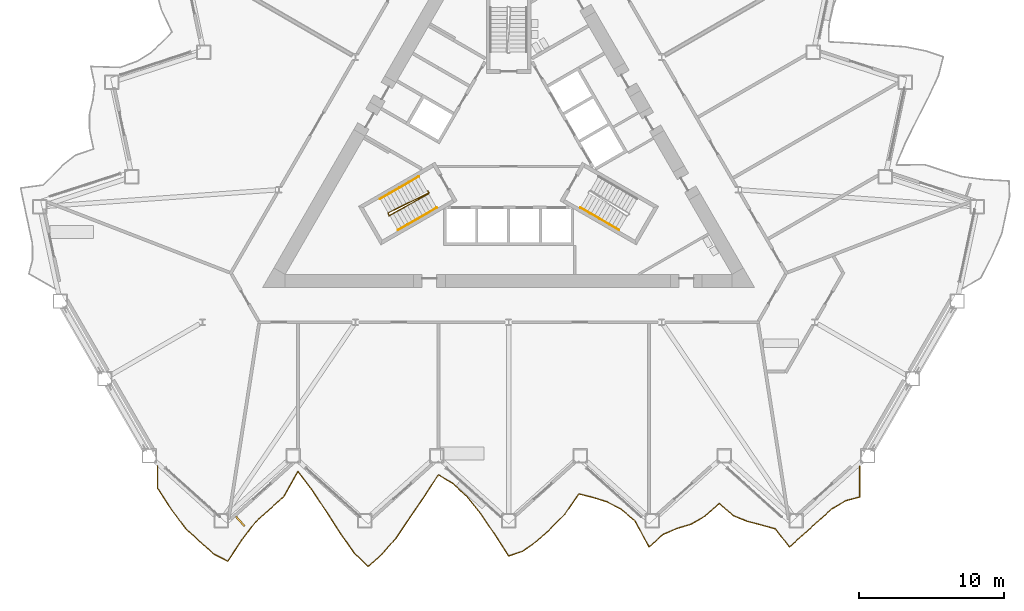
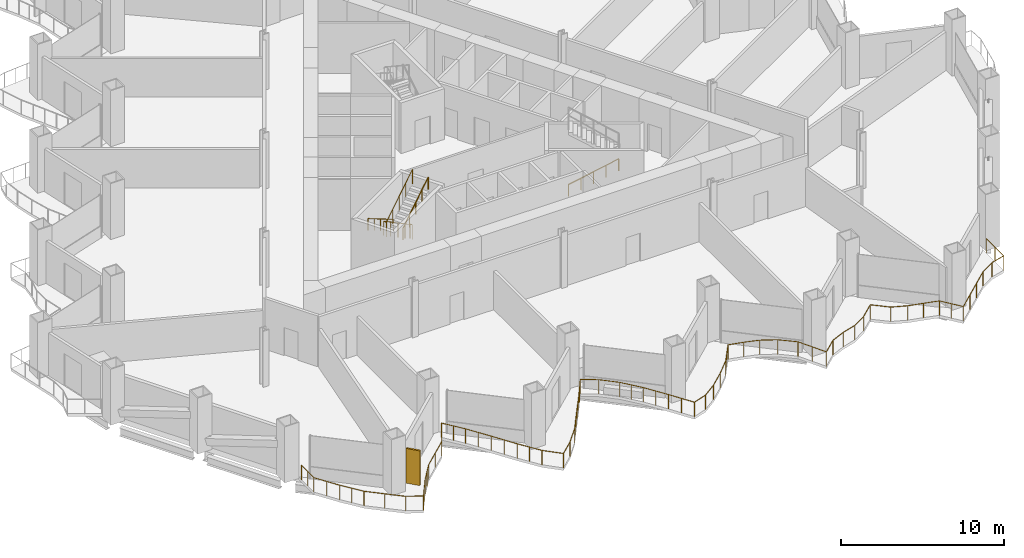
# One storey, part 17 of 21: 5 railings, 1 shading device.
"""IFC4 building model written with IfcOpenShell, lengths in metres."""

from ifc_helpers import new_model, si_unit, direction, frame, origin, origin_2d, place, context, subcontext, project, spatial, rectangle, circle, extrude, material, layer, layer_set, type_object, element, save


model = new_model("IFC4")

# Units and contexts
model_context = context("Model", 3, precision=1e-05, world=origin(), true_north=direction((0.0, 1.0)))
body_context = subcontext(model_context, "Body", "Model", "MODEL_VIEW")
ifc_project = project(units=[si_unit("LENGTHUNIT", "METRE"), si_unit("AREAUNIT", "SQUARE_METRE"), si_unit("VOLUMEUNIT", "CUBIC_METRE"), si_unit("PLANEANGLEUNIT", "RADIAN"), si_unit("MASSUNIT", "GRAM", prefix="KILO")], contexts=[model_context])

# Site, building, storey
site_placement = place(None, origin())
site = spatial("IfcSite", under=ifc_project, at=site_placement, CompositionType="ELEMENT")
building_placement = place(site_placement, origin())
building = spatial("IfcBuilding", under=site, at=building_placement, Name="Cormorant Prow Tower", CompositionType="ELEMENT")
storey_placement = place(building_placement, frame((0.0, 0.0, 42.60009765625)))
storey = spatial("IfcBuildingStorey", under=building, at=storey_placement, Name="L08", CompositionType="ELEMENT", Elevation=42.60009765625)

# Railings
ifc_material_1 = material(Name="Aluminium 6063-T6", Category="aluminium")
railing_type_1 = type_object("IfcRailingType", Name="Balcony guard 1100", PredefinedType="GUARDRAIL", material=ifc_material_1)
railing_1_placement = place(storey_placement, frame((-24.26318359375, -22.167236328125, 0.0)))
element("IfcRailing", 1, at=railing_1_placement, inside=storey, type_object=railing_type_1, Name="Balcony guard S", PredefinedType="GUARDRAIL", context=body_context, shape_type="SweptSolid", body=[
    extrude(circle(Radius=0.02392578125, at=origin_2d()), frame((0.0, 0.0, 1.076171875), z_axis=(0.0, -1.0, 0.0), x_axis=(1.0, 0.0, 0.0)), (0.0, 0.0, 1.0), 1.52001953125),
    extrude(circle(Radius=0.02392578125, at=origin_2d()), frame((0.0, -1.52001953125, 1.076171875), z_axis=(0.546456473438, -0.837487505959, 0.0), x_axis=(0.837487505959, 0.546456473438, 0.0)), (0.0, 0.0, 1.0), 1.77587890625),
    extrude(circle(Radius=0.02392578125, at=origin_2d()), frame((0.970458984375, -3.00732421875, 1.076171875), z_axis=(0.595102231489, -0.803650007203, 0.0), x_axis=(0.803650007203, 0.595102231489, 0.0)), (0.0, 0.0, 1.0), 1.630859375),
    extrude(circle(Radius=0.02392578125, at=origin_2d()), frame((1.94091796875, -4.31787109375, 1.076171875), z_axis=(0.743154686918, -0.669119653957, 0.0), x_axis=(0.669119653957, 0.743154686918, 0.0)), (0.0, 0.0, 1.0), 1.305908203125),
    extrude(circle(Radius=0.02392578125, at=origin_2d()), frame((2.911376953125, -5.191650390625, 1.076171875), z_axis=(0.743145427753, -0.669129937464, 0.0), x_axis=(0.669129937464, 0.743145427753, 0.0)), (0.0, 0.0, 1.0), 1.30615234375),
    extrude(circle(Radius=0.02392578125, at=origin_2d()), frame((3.882080078125, -6.065673828125, 1.076171875), z_axis=(0.886668355379, -0.462405912126, 0.0), x_axis=(0.462405912126, 0.886668355379, 0.0)), (0.0, 0.0, 1.0), 1.094482421875),
    extrude(circle(Radius=0.02392578125, at=origin_2d()), frame((4.8525390625, -6.57177734375, 1.076171875), z_axis=(0.549426091774, 0.835542320698, 0.0), x_axis=(-0.835542320698, 0.549426091774, 0.0)), (0.0, 0.0, 1.0), 1.766357421875),
    extrude(circle(Radius=0.02392578125, at=origin_2d()), frame((5.822998046875, -5.095947265625, 1.076171875), z_axis=(0.611999325903, 0.790858283825, 0.0), x_axis=(-0.790858283825, 0.611999325903, 0.0)), (0.0, 0.0, 1.0), 1.586181640625),
    extrude(circle(Radius=0.02392578125, at=origin_2d()), frame((6.793701171875, -3.841552734375, 1.076171875), z_axis=(0.743154686918, 0.669119653957, 0.0), x_axis=(-0.669119653957, 0.743154686918, 0.0)), (0.0, 0.0, 1.0), 1.305908203125),
    extrude(circle(Radius=0.02392578125, at=origin_2d()), frame((7.76416015625, -2.9677734375, 1.076171875), z_axis=(0.743154686918, 0.669119653957, 0.0), x_axis=(-0.669119653957, 0.743154686918, 0.0)), (0.0, 0.0, 1.0), 1.305908203125),
    extrude(circle(Radius=0.02392578125, at=origin_2d()), frame((8.734619140625, -2.093994140625, 1.076171875), z_axis=(0.491987922323, 0.870602024055, 0.0), x_axis=(-0.870602024055, 0.491987922323, 0.0)), (0.0, 0.0, 1.0), 1.972412109375),
    extrude(circle(Radius=0.02392578125, at=origin_2d()), frame((9.705078125, -0.376708984375, 1.076171875), z_axis=(0.607552194896, -0.794279755802, 0.0), x_axis=(0.794279755802, 0.607552194896, 0.0)), (0.0, 0.0, 1.0), 1.59765625),
    extrude(circle(Radius=0.02392578125, at=origin_2d()), frame((10.67578125, -1.645751953125, 1.076171875), z_axis=(0.553189853968, -0.833055211536, 0.0), x_axis=(0.833055211536, 0.553189853968, 0.0)), (0.0, 0.0, 1.0), 1.75439453125),
    extrude(circle(Radius=0.02392578125, at=origin_2d()), frame((11.646240234375, -3.107177734375, 1.076171875), z_axis=(0.54251539908, -0.84004585694, 0.0), x_axis=(0.84004585694, 0.54251539908, 0.0)), (0.0, 0.0, 1.0), 1.788818359375),
    extrude(circle(Radius=0.02392578125, at=origin_2d()), frame((12.61669921875, -4.60986328125, 1.076171875), z_axis=(0.574683975646, -0.818375420046, 0.0), x_axis=(0.818375420046, 0.574683975646, 0.0)), (0.0, 0.0, 1.0), 1.689208984375),
    extrude(circle(Radius=0.02392578125, at=origin_2d()), frame((13.58740234375, -5.9921875, 1.076171875), z_axis=(0.715606343426, -0.698503801885, 0.0), x_axis=(0.698503801885, 0.715606343426, 0.0)), (0.0, 0.0, 1.0), 1.356201171875),
    extrude(circle(Radius=0.02392578125, at=origin_2d()), frame((14.557861328125, -6.939453125, 1.076171875), z_axis=(0.743154686918, 0.669119653957, 0.0), x_axis=(-0.669119653957, 0.743154686918, 0.0)), (0.0, 0.0, 1.0), 1.305908203125),
    extrude(circle(Radius=0.02392578125, at=origin_2d()), frame((15.5283203125, -6.065673828125, 1.076171875), z_axis=(0.657262862537, 0.753661415709, 0.0), x_axis=(-0.753661415709, 0.657262862537, 0.0)), (0.0, 0.0, 1.0), 1.4765625),
    extrude(circle(Radius=0.02392578125, at=origin_2d()), frame((16.498779296875, -4.952880859375, 1.076171875), z_axis=(0.557674475264, 0.83005974462, 0.0), x_axis=(-0.83005974462, 0.557674475264, 0.0)), (0.0, 0.0, 1.0), 1.74072265625),
    extrude(circle(Radius=0.02392578125, at=origin_2d()), frame((17.469482421875, -3.508056640625, 1.076171875), z_axis=(0.565851984575, 0.824506841423, 0.0), x_axis=(-0.824506841423, 0.565851984575, 0.0)), (0.0, 0.0, 1.0), 1.715087890625),
    extrude(circle(Radius=0.02392578125, at=origin_2d()), frame((18.43994140625, -2.093994140625, 1.076171875), z_axis=(0.543636828573, 0.839320557724, 0.0), x_axis=(-0.839320557724, 0.543636828573, 0.0)), (0.0, 0.0, 1.0), 1.78515625),
    extrude(circle(Radius=0.02392578125, at=origin_2d()), frame((19.410400390625, -0.595703125, 1.076171875), z_axis=(0.85850102145, -0.512811852602, 0.0), x_axis=(0.512811852602, 0.85850102145, 0.0)), (0.0, 0.0, 1.0), 1.130615234375),
    extrude(circle(Radius=0.02392578125, at=origin_2d()), frame((20.381103515625, -1.175537109375, 1.076171875), z_axis=(0.735654307168, -0.677357173392, 0.0), x_axis=(0.677357173392, 0.735654307168, 0.0)), (0.0, 0.0, 1.0), 1.319091796875),
    extrude(circle(Radius=0.02392578125, at=origin_2d()), frame((21.3515625, -2.069091796875, 1.076171875), z_axis=(0.628292956506, -0.777976838219, 0.0), x_axis=(0.777976838219, 0.628292956506, 0.0)), (0.0, 0.0, 1.0), 1.544677734375),
    extrude(circle(Radius=0.02392578125, at=origin_2d()), frame((22.322021484375, -3.270751953125, 1.076171875), z_axis=(0.562708676274, -0.826655276186, 0.0), x_axis=(0.826655276186, 0.562708676274, 0.0)), (0.0, 0.0, 1.0), 1.72509765625),
    extrude(circle(Radius=0.02392578125, at=origin_2d()), frame((23.292724609375, -4.69677734375, 1.076171875), z_axis=(0.541149728785, -0.840926257787, 0.0), x_axis=(0.840926257787, 0.541149728785, 0.0)), (0.0, 0.0, 1.0), 1.793212890625),
    extrude(circle(Radius=0.02392578125, at=origin_2d()), frame((24.26318359375, -6.204833984375, 1.076171875), z_axis=(0.949397389061, 0.314077375249, 0.0), x_axis=(-0.314077375249, 0.949397389061, 0.0)), (0.0, 0.0, 1.0), 1.022216796875),
    extrude(circle(Radius=0.02392578125, at=origin_2d()), frame((25.233642578125, -5.8837890625, 1.076171875), z_axis=(0.814217473034, 0.580559993977, 0.0), x_axis=(-0.580559993977, 0.814217473034, 0.0)), (0.0, 0.0, 1.0), 1.192138671875),
    extrude(circle(Radius=0.02392578125, at=origin_2d()), frame((26.204345703125, -5.191650390625, 1.076171875), z_axis=(0.743154686918, 0.669119653957, 0.0), x_axis=(-0.669119653957, 0.743154686918, 0.0)), (0.0, 0.0, 1.0), 1.305908203125),
    extrude(circle(Radius=0.02392578125, at=origin_2d()), frame((27.1748046875, -4.31787109375, 1.076171875), z_axis=(0.697391496099, 0.716690380268, 0.0), x_axis=(-0.716690380268, 0.697391496099, 0.0)), (0.0, 0.0, 1.0), 1.3916015625),
    extrude(circle(Radius=0.02392578125, at=origin_2d()), frame((28.145263671875, -3.320556640625, 1.076171875), z_axis=(0.56854801371, 0.822650081205, 0.0), x_axis=(-0.822650081205, 0.56854801371, 0.0)), (0.0, 0.0, 1.0), 1.707275390625),
    extrude(circle(Radius=0.02392578125, at=origin_2d()), frame((29.115966796875, -1.916015625, 1.076171875), z_axis=(0.970529040878, -0.240984192037, 0.0), x_axis=(0.240984192037, 0.970529040878, 0.0)), (0.0, 0.0, 1.0), 1.0),
    extrude(circle(Radius=0.02392578125, at=origin_2d()), frame((30.08642578125, -2.156982421875, 1.076171875), z_axis=(0.95476588889, -0.297358533445, 0.0), x_axis=(0.297358533445, 0.95476588889, 0.0)), (0.0, 0.0, 1.0), 1.016357421875),
    extrude(circle(Radius=0.02392578125, at=origin_2d()), frame((31.056884765625, -2.459228515625, 1.076171875), z_axis=(0.885159562944, -0.465287597222, 0.0), x_axis=(0.465287597222, 0.885159562944, 0.0)), (0.0, 0.0, 1.0), 1.0966796875),
    extrude(circle(Radius=0.02392578125, at=origin_2d()), frame((32.027587890625, -2.969482421875, 1.076171875), z_axis=(0.767033703833, -0.641606808867, 0.0), x_axis=(0.641606808867, 0.767033703833, 0.0)), (0.0, 0.0, 1.0), 1.26513671875),
    extrude(circle(Radius=0.02392578125, at=origin_2d()), frame((32.998046875, -3.78125, 1.076171875), z_axis=(0.472914583263, -0.881108277647, 0.0), x_axis=(0.881108277647, 0.472914583263, 0.0)), (0.0, 0.0, 1.0), 2.052001953125),
    extrude(circle(Radius=0.02392578125, at=origin_2d()), frame((33.968505859375, -5.58935546875, 1.076171875), z_axis=(0.743154686918, 0.669119653957, 0.0), x_axis=(-0.669119653957, 0.743154686918, 0.0)), (0.0, 0.0, 1.0), 1.305908203125),
    extrude(circle(Radius=0.02392578125, at=origin_2d()), frame((34.93896484375, -4.715576171875, 1.076171875), z_axis=(0.918977576197, 0.394309795018, 0.0), x_axis=(-0.394309795018, 0.918977576197, 0.0)), (0.0, 0.0, 1.0), 1.056396484375),
    extrude(circle(Radius=0.02392578125, at=origin_2d()), frame((35.90966796875, -4.299072265625, 1.076171875), z_axis=(0.959242445452, 0.28258437827, 0.0), x_axis=(-0.28258437827, 0.959242445452, 0.0)), (0.0, 0.0, 1.0), 1.01171875),
    extrude(circle(Radius=0.02392578125, at=origin_2d()), frame((36.880126953125, -4.01318359375, 1.076171875), z_axis=(0.862524905766, 0.506014611383, 0.0), x_axis=(-0.506014611383, 0.862524905766, 0.0)), (0.0, 0.0, 1.0), 1.125244140625),
    extrude(circle(Radius=0.02392578125, at=origin_2d()), frame((37.8505859375, -3.44384765625, 1.076171875), z_axis=(0.743238374141, 0.669026695435, 0.0), x_axis=(-0.669026695435, 0.743238374141, 0.0)), (0.0, 0.0, 1.0), 1.30615234375),
    extrude(circle(Radius=0.02392578125, at=origin_2d()), frame((38.8212890625, -2.570068359375, 1.076171875), z_axis=(0.752025607299, -0.659133890774, 0.0), x_axis=(0.659133890774, 0.752025607299, 0.0)), (0.0, 0.0, 1.0), 1.29052734375),
    extrude(circle(Radius=0.02392578125, at=origin_2d()), frame((39.791748046875, -3.420654296875, 1.076171875), z_axis=(0.927184198697, -0.374605741662, 0.0), x_axis=(0.374605741662, 0.927184198697, 0.0)), (0.0, 0.0, 1.0), 1.046630859375),
    extrude(circle(Radius=0.02392578125, at=origin_2d()), frame((40.76220703125, -3.812744140625, 1.076171875), z_axis=(0.967970600787, -0.251063569663, 0.0), x_axis=(0.251063569663, 0.967970600787, 0.0)), (0.0, 0.0, 1.0), 1.002685546875),
    extrude(circle(Radius=0.02392578125, at=origin_2d()), frame((41.732666015625, -4.064453125, 1.076171875), z_axis=(0.962981625571, -0.269567039552, 0.0), x_axis=(0.269567039552, 0.962981625571, 0.0)), (0.0, 0.0, 1.0), 1.008056640625),
    extrude(circle(Radius=0.02392578125, at=origin_2d()), frame((42.703369140625, -4.336181640625, 1.076171875), z_axis=(0.61227570857, -0.790644330085, 0.0), x_axis=(0.790644330085, 0.61227570857, 0.0)), (0.0, 0.0, 1.0), 1.5849609375),
    extrude(circle(Radius=0.02392578125, at=origin_2d()), frame((43.673828125, -5.58935546875, 1.076171875), z_axis=(0.743154686918, 0.669119653957, 0.0), x_axis=(-0.669119653957, 0.743154686918, 0.0)), (0.0, 0.0, 1.0), 1.305908203125),
    extrude(circle(Radius=0.02392578125, at=origin_2d()), frame((44.644287109375, -4.715576171875, 1.076171875), z_axis=(0.743145427753, 0.669129937464, 0.0), x_axis=(-0.669129937464, 0.743145427753, 0.0)), (0.0, 0.0, 1.0), 1.30615234375),
    extrude(circle(Radius=0.02392578125, at=origin_2d()), frame((45.614990234375, -3.841552734375, 1.076171875), z_axis=(0.743154686918, 0.669119653957, 0.0), x_axis=(-0.669119653957, 0.743154686918, 0.0)), (0.0, 0.0, 1.0), 1.305908203125),
    extrude(circle(Radius=0.02392578125, at=origin_2d()), frame((46.58544921875, -2.9677734375, 1.076171875), z_axis=(0.85939467773, 0.511312808259, 0.0), x_axis=(-0.511312808259, 0.85939467773, 0.0)), (0.0, 0.0, 1.0), 1.129150390625),
    extrude(circle(Radius=0.02392578125, at=origin_2d()), frame((47.555908203125, -2.390380859375, 1.076171875), z_axis=(0.965931782, 0.258796817064, 0.0), x_axis=(-0.258796817064, 0.965931782, 0.0)), (0.0, 0.0, 1.0), 1.004638671875),
    extrude(circle(Radius=0.02392578125, at=origin_2d()), frame((48.5263671875, -2.13037109375, 1.076171875), z_axis=(0.0, 1.0, 0.0), x_axis=(-1.0, 0.0, 0.0)), (0.0, 0.0, 1.0), 2.13037109375),
    extrude(circle(Radius=0.02099609375, at=origin_2d()), origin(), (0.0, 0.0, 1.0), 1.052001953125),
    extrude(circle(Radius=0.02099609375, at=origin_2d()), frame((0.0, -0.760009765625, 0.0)), (0.0, 0.0, 1.0), 1.052001953125),
    extrude(circle(Radius=0.02099609375, at=origin_2d()), frame((0.0, -1.52001953125, 0.0)), (0.0, 0.0, 1.0), 1.052001953125),
    extrude(circle(Radius=0.02099609375, at=origin_2d()), frame((0.4853515625, -2.263671875, 0.0)), (0.0, 0.0, 1.0), 1.052001953125),
    extrude(circle(Radius=0.02099609375, at=origin_2d()), frame((0.970458984375, -3.00732421875, 0.0)), (0.0, 0.0, 1.0), 1.052001953125),
    extrude(circle(Radius=0.02099609375, at=origin_2d()), frame((1.45556640625, -3.66259765625, 0.0)), (0.0, 0.0, 1.0), 1.052001953125),
    extrude(circle(Radius=0.02099609375, at=origin_2d()), frame((1.94091796875, -4.31787109375, 0.0)), (0.0, 0.0, 1.0), 1.052001953125),
    extrude(circle(Radius=0.02099609375, at=origin_2d()), frame((2.911376953125, -5.191650390625, 0.0)), (0.0, 0.0, 1.0), 1.052001953125),
    extrude(circle(Radius=0.02099609375, at=origin_2d()), frame((3.882080078125, -6.065673828125, 0.0)), (0.0, 0.0, 1.0), 1.052001953125),
    extrude(circle(Radius=0.02099609375, at=origin_2d()), frame((4.8525390625, -6.57177734375, 0.0)), (0.0, 0.0, 1.0), 1.052001953125),
    extrude(circle(Radius=0.02099609375, at=origin_2d()), frame((5.337890625, -5.833984375, 0.0)), (0.0, 0.0, 1.0), 1.052001953125),
    extrude(circle(Radius=0.02099609375, at=origin_2d()), frame((5.822998046875, -5.095947265625, 0.0)), (0.0, 0.0, 1.0), 1.052001953125),
    extrude(circle(Radius=0.02099609375, at=origin_2d()), frame((6.308349609375, -4.46875, 0.0)), (0.0, 0.0, 1.0), 1.052001953125),
    extrude(circle(Radius=0.02099609375, at=origin_2d()), frame((6.793701171875, -3.841552734375, 0.0)), (0.0, 0.0, 1.0), 1.052001953125),
    extrude(circle(Radius=0.02099609375, at=origin_2d()), frame((7.76416015625, -2.9677734375, 0.0)), (0.0, 0.0, 1.0), 1.052001953125),
    extrude(circle(Radius=0.02099609375, at=origin_2d()), frame((8.734619140625, -2.093994140625, 0.0)), (0.0, 0.0, 1.0), 1.052001953125),
    extrude(circle(Radius=0.02099609375, at=origin_2d()), frame((9.2197265625, -1.2353515625, 0.0)), (0.0, 0.0, 1.0), 1.052001953125),
    extrude(circle(Radius=0.02099609375, at=origin_2d()), frame((9.705078125, -0.376708984375, 0.0)), (0.0, 0.0, 1.0), 1.052001953125),
    extrude(circle(Radius=0.02099609375, at=origin_2d()), frame((10.1904296875, -1.01123046875, 0.0)), (0.0, 0.0, 1.0), 1.052001953125),
    extrude(circle(Radius=0.02099609375, at=origin_2d()), frame((10.67578125, -1.645751953125, 0.0)), (0.0, 0.0, 1.0), 1.052001953125),
    extrude(circle(Radius=0.02099609375, at=origin_2d()), frame((11.1611328125, -2.37646484375, 0.0)), (0.0, 0.0, 1.0), 1.052001953125),
    extrude(circle(Radius=0.02099609375, at=origin_2d()), frame((11.646240234375, -3.107177734375, 0.0)), (0.0, 0.0, 1.0), 1.052001953125),
    extrude(circle(Radius=0.02099609375, at=origin_2d()), frame((12.13134765625, -3.8583984375, 0.0)), (0.0, 0.0, 1.0), 1.052001953125),
    extrude(circle(Radius=0.02099609375, at=origin_2d()), frame((12.61669921875, -4.60986328125, 0.0)), (0.0, 0.0, 1.0), 1.052001953125),
    extrude(circle(Radius=0.02099609375, at=origin_2d()), frame((13.10205078125, -5.301025390625, 0.0)), (0.0, 0.0, 1.0), 1.052001953125),
    extrude(circle(Radius=0.02099609375, at=origin_2d()), frame((13.58740234375, -5.9921875, 0.0)), (0.0, 0.0, 1.0), 1.052001953125),
    extrude(circle(Radius=0.02099609375, at=origin_2d()), frame((14.557861328125, -6.939453125, 0.0)), (0.0, 0.0, 1.0), 1.052001953125),
    extrude(circle(Radius=0.02099609375, at=origin_2d()), frame((15.5283203125, -6.065673828125, 0.0)), (0.0, 0.0, 1.0), 1.052001953125),
    extrude(circle(Radius=0.02099609375, at=origin_2d()), frame((16.498779296875, -4.952880859375, 0.0)), (0.0, 0.0, 1.0), 1.052001953125),
    extrude(circle(Radius=0.02099609375, at=origin_2d()), frame((16.984130859375, -4.23046875, 0.0)), (0.0, 0.0, 1.0), 1.052001953125),
    extrude(circle(Radius=0.02099609375, at=origin_2d()), frame((17.469482421875, -3.508056640625, 0.0)), (0.0, 0.0, 1.0), 1.052001953125),
    extrude(circle(Radius=0.02099609375, at=origin_2d()), frame((17.95458984375, -2.801025390625, 0.0)), (0.0, 0.0, 1.0), 1.052001953125),
    extrude(circle(Radius=0.02099609375, at=origin_2d()), frame((18.43994140625, -2.093994140625, 0.0)), (0.0, 0.0, 1.0), 1.052001953125),
    extrude(circle(Radius=0.02099609375, at=origin_2d()), frame((18.92529296875, -1.3447265625, 0.0)), (0.0, 0.0, 1.0), 1.052001953125),
    extrude(circle(Radius=0.02099609375, at=origin_2d()), frame((19.410400390625, -0.595703125, 0.0)), (0.0, 0.0, 1.0), 1.052001953125),
    extrude(circle(Radius=0.02099609375, at=origin_2d()), frame((20.381103515625, -1.175537109375, 0.0)), (0.0, 0.0, 1.0), 1.052001953125),
    extrude(circle(Radius=0.02099609375, at=origin_2d()), frame((21.3515625, -2.069091796875, 0.0)), (0.0, 0.0, 1.0), 1.052001953125),
    extrude(circle(Radius=0.02099609375, at=origin_2d()), frame((21.8369140625, -2.669921875, 0.0)), (0.0, 0.0, 1.0), 1.052001953125),
    extrude(circle(Radius=0.02099609375, at=origin_2d()), frame((22.322021484375, -3.270751953125, 0.0)), (0.0, 0.0, 1.0), 1.052001953125),
    extrude(circle(Radius=0.02099609375, at=origin_2d()), frame((22.807373046875, -3.98388671875, 0.0)), (0.0, 0.0, 1.0), 1.052001953125),
    extrude(circle(Radius=0.02099609375, at=origin_2d()), frame((23.292724609375, -4.69677734375, 0.0)), (0.0, 0.0, 1.0), 1.052001953125),
    extrude(circle(Radius=0.02099609375, at=origin_2d()), frame((23.77783203125, -5.45068359375, 0.0)), (0.0, 0.0, 1.0), 1.052001953125),
    extrude(circle(Radius=0.02099609375, at=origin_2d()), frame((24.26318359375, -6.204833984375, 0.0)), (0.0, 0.0, 1.0), 1.052001953125),
    extrude(circle(Radius=0.02099609375, at=origin_2d()), frame((25.233642578125, -5.8837890625, 0.0)), (0.0, 0.0, 1.0), 1.052001953125),
    extrude(circle(Radius=0.02099609375, at=origin_2d()), frame((26.204345703125, -5.191650390625, 0.0)), (0.0, 0.0, 1.0), 1.052001953125),
    extrude(circle(Radius=0.02099609375, at=origin_2d()), frame((27.1748046875, -4.31787109375, 0.0)), (0.0, 0.0, 1.0), 1.052001953125),
    extrude(circle(Radius=0.02099609375, at=origin_2d()), frame((28.145263671875, -3.320556640625, 0.0)), (0.0, 0.0, 1.0), 1.052001953125),
    extrude(circle(Radius=0.02099609375, at=origin_2d()), frame((28.630615234375, -2.6181640625, 0.0)), (0.0, 0.0, 1.0), 1.052001953125),
    extrude(circle(Radius=0.02099609375, at=origin_2d()), frame((29.115966796875, -1.916015625, 0.0)), (0.0, 0.0, 1.0), 1.052001953125),
    extrude(circle(Radius=0.02099609375, at=origin_2d()), frame((30.08642578125, -2.156982421875, 0.0)), (0.0, 0.0, 1.0), 1.052001953125),
    extrude(circle(Radius=0.02099609375, at=origin_2d()), frame((31.056884765625, -2.459228515625, 0.0)), (0.0, 0.0, 1.0), 1.052001953125),
    extrude(circle(Radius=0.02099609375, at=origin_2d()), frame((32.027587890625, -2.969482421875, 0.0)), (0.0, 0.0, 1.0), 1.052001953125),
    extrude(circle(Radius=0.02099609375, at=origin_2d()), frame((32.998046875, -3.78125, 0.0)), (0.0, 0.0, 1.0), 1.052001953125),
    extrude(circle(Radius=0.02099609375, at=origin_2d()), frame((33.4833984375, -4.685302734375, 0.0)), (0.0, 0.0, 1.0), 1.052001953125),
    extrude(circle(Radius=0.02099609375, at=origin_2d()), frame((33.968505859375, -5.58935546875, 0.0)), (0.0, 0.0, 1.0), 1.052001953125),
    extrude(circle(Radius=0.02099609375, at=origin_2d()), frame((34.93896484375, -4.715576171875, 0.0)), (0.0, 0.0, 1.0), 1.052001953125),
    extrude(circle(Radius=0.02099609375, at=origin_2d()), frame((35.90966796875, -4.299072265625, 0.0)), (0.0, 0.0, 1.0), 1.052001953125),
    extrude(circle(Radius=0.02099609375, at=origin_2d()), frame((36.880126953125, -4.01318359375, 0.0)), (0.0, 0.0, 1.0), 1.052001953125),
    extrude(circle(Radius=0.02099609375, at=origin_2d()), frame((37.8505859375, -3.44384765625, 0.0)), (0.0, 0.0, 1.0), 1.052001953125),
    extrude(circle(Radius=0.02099609375, at=origin_2d()), frame((38.8212890625, -2.570068359375, 0.0)), (0.0, 0.0, 1.0), 1.052001953125),
    extrude(circle(Radius=0.02099609375, at=origin_2d()), frame((39.791748046875, -3.420654296875, 0.0)), (0.0, 0.0, 1.0), 1.052001953125),
    extrude(circle(Radius=0.02099609375, at=origin_2d()), frame((40.76220703125, -3.812744140625, 0.0)), (0.0, 0.0, 1.0), 1.052001953125),
    extrude(circle(Radius=0.02099609375, at=origin_2d()), frame((41.732666015625, -4.064453125, 0.0)), (0.0, 0.0, 1.0), 1.052001953125),
    extrude(circle(Radius=0.02099609375, at=origin_2d()), frame((42.703369140625, -4.336181640625, 0.0)), (0.0, 0.0, 1.0), 1.052001953125),
    extrude(circle(Radius=0.02099609375, at=origin_2d()), frame((43.1884765625, -4.962890625, 0.0)), (0.0, 0.0, 1.0), 1.052001953125),
    extrude(circle(Radius=0.02099609375, at=origin_2d()), frame((43.673828125, -5.58935546875, 0.0)), (0.0, 0.0, 1.0), 1.052001953125),
    extrude(circle(Radius=0.02099609375, at=origin_2d()), frame((44.644287109375, -4.715576171875, 0.0)), (0.0, 0.0, 1.0), 1.052001953125),
    extrude(circle(Radius=0.02099609375, at=origin_2d()), frame((45.614990234375, -3.841552734375, 0.0)), (0.0, 0.0, 1.0), 1.052001953125),
    extrude(circle(Radius=0.02099609375, at=origin_2d()), frame((46.58544921875, -2.9677734375, 0.0)), (0.0, 0.0, 1.0), 1.052001953125),
    extrude(circle(Radius=0.02099609375, at=origin_2d()), frame((47.555908203125, -2.390380859375, 0.0)), (0.0, 0.0, 1.0), 1.052001953125),
    extrude(circle(Radius=0.02099609375, at=origin_2d()), frame((48.5263671875, -2.13037109375, 0.0)), (0.0, 0.0, 1.0), 1.052001953125),
    extrude(circle(Radius=0.02099609375, at=origin_2d()), frame((48.5263671875, -1.065185546875, 0.0)), (0.0, 0.0, 1.0), 1.052001953125),
    extrude(circle(Radius=0.02099609375, at=origin_2d()), frame((48.5263671875, 0.0, 0.0)), (0.0, 0.0, 1.0), 1.052001953125),
])
ifc_material_2 = material(Name="Stainless steel", Category="steel")
railing_type_2 = type_object("IfcRailingType", Name="Stair guard 1100", PredefinedType="GUARDRAIL", material=ifc_material_2)
railing_2_placement = place(storey_placement, frame((-5.585205078125, -3.137939453125, 0.0)))
element("IfcRailing", 2, at=railing_2_placement, inside=storey, type_object=railing_type_2, Name="L08 ST1 stair guard 1", PredefinedType="GUARDRAIL", context=body_context, shape_type="SweptSolid", body=[
    extrude(circle(Radius=0.02392578125, at=origin_2d()), frame((0.0, 0.0, 1.076171875), z_axis=(0.501036270542, -0.865426285481, 0.0), x_axis=(0.865426285481, 0.501036270542, 0.0)), (0.0, 0.0, 1.0), 0.150146484375),
    extrude(circle(Radius=0.02392578125, at=origin_2d()), frame((0.0751953125, -0.1298828125, 1.076171875), z_axis=(-0.744670798681, -0.368745611333, 0.556320119817), x_axis=(0.443754251299, -0.896148516963, 0.0)), (0.0, 0.0, 1.0), 3.774658203125),
    extrude(circle(Radius=0.02392578125, at=origin_2d()), frame((-2.735595703125, -1.521728515625, 3.17578125), z_axis=(0.274721127897, -0.961523947641, 0.0), x_axis=(0.961523947641, 0.274721127897, 0.0)), (0.0, 0.0, 1.0), 0.2060546875),
    extrude(circle(Radius=0.02392578125, at=origin_2d()), frame((-2.678955078125, -1.719970703125, 3.17578125), z_axis=(0.725738344322, 0.403670096391, 0.557094524171), x_axis=(-0.486086505765, 0.873910698477, 0.0)), (0.0, 0.0, 1.0), 3.769775390625),
    extrude(circle(Radius=0.02099609375, at=origin_2d()), origin(), (0.0, 0.0, 1.0), 1.052001953125),
    extrude(circle(Radius=0.02099609375, at=origin_2d()), frame((0.0751953125, -0.1298828125, 0.0)), (0.0, 0.0, 1.0), 1.052001953125),
    extrude(circle(Radius=0.02099609375, at=origin_2d()), frame((-0.62744140625, -0.477783203125, 0.52490234375)), (0.0, 0.0, 1.0), 1.052001953125),
    extrude(circle(Radius=0.02099609375, at=origin_2d()), frame((-1.330078125, -0.82568359375, 1.0498046875)), (0.0, 0.0, 1.0), 1.052001953125),
    extrude(circle(Radius=0.02099609375, at=origin_2d()), frame((-2.032958984375, -1.173828125, 1.574951171875)), (0.0, 0.0, 1.0), 1.052001953125),
    extrude(circle(Radius=0.02099609375, at=origin_2d()), frame((-2.735595703125, -1.521728515625, 2.099853515625)), (0.0, 0.0, 1.0), 1.052001953125),
    extrude(circle(Radius=0.02099609375, at=origin_2d()), frame((-2.678955078125, -1.719970703125, 2.099853515625)), (0.0, 0.0, 1.0), 1.052001953125),
    extrude(circle(Radius=0.02099609375, at=origin_2d()), frame((-1.9951171875, -1.339599609375, 2.625)), (0.0, 0.0, 1.0), 1.052001953125),
    extrude(circle(Radius=0.02099609375, at=origin_2d()), frame((-1.31103515625, -0.958984375, 3.14990234375)), (0.0, 0.0, 1.0), 1.052001953125),
    extrude(circle(Radius=0.02099609375, at=origin_2d()), frame((-0.626953125, -0.57861328125, 3.6748046875)), (0.0, 0.0, 1.0), 1.052001953125),
    extrude(circle(Radius=0.02099609375, at=origin_2d()), frame((0.056884765625, -0.1982421875, 4.199951171875)), (0.0, 0.0, 1.0), 1.052001953125),
])
ifc_material_3 = material(Name="Stainless steel", Category="steel")
railing_type_3 = type_object("IfcRailingType", Name="Stair handrail 900", PredefinedType="HANDRAIL", material=ifc_material_3)
railing_3_placement = place(storey_placement, frame((-6.212890625, -2.150634765625, 0.1748046875)))
element("IfcRailing", 3, at=railing_3_placement, inside=storey, type_object=railing_type_3, Name="L08 ST1 stair handrail 1", PredefinedType="HANDRAIL", context=body_context, shape_type="SweptSolid", body=[
    extrude(circle(Radius=0.02392578125, at=origin_2d()), frame((0.0, 0.0, 0.8759765625), z_axis=(-0.734394994316, -0.423994474112, 0.52999309264), x_axis=(0.499992328818, -0.866029832698, 0.0)), (0.0, 0.0, 1.0), 3.63232421875),
    extrude(circle(Radius=0.02099609375, at=origin_2d()), origin(), (0.0, 0.0, 1.0), 0.851806640625),
    extrude(circle(Radius=0.02099609375, at=origin_2d()), frame((-0.6669921875, -0.385009765625, 0.481201171875)), (0.0, 0.0, 1.0), 0.851806640625),
    extrude(circle(Radius=0.02099609375, at=origin_2d()), frame((-1.333740234375, -0.77001953125, 0.96240234375)), (0.0, 0.0, 1.0), 0.851806640625),
    extrude(circle(Radius=0.02099609375, at=origin_2d()), frame((-2.00048828125, -1.155029296875, 1.44384765625)), (0.0, 0.0, 1.0), 0.851806640625),
    extrude(circle(Radius=0.02099609375, at=origin_2d()), frame((-2.66748046875, -1.5400390625, 1.925048828125)), (0.0, 0.0, 1.0), 0.851806640625),
])
railing_4_placement = place(storey_placement, frame((-7.63623046875, -5.84521484375, 2.27490234375)))
element("IfcRailing", 4, at=railing_4_placement, inside=storey, type_object=railing_type_3, Name="L08 ST1 stair handrail 2", PredefinedType="HANDRAIL", context=body_context, shape_type="SweptSolid", body=[
    extrude(circle(Radius=0.02392578125, at=origin_2d()), frame((0.0, 0.0, 0.8759765625), z_axis=(0.734364028329, 0.424015404183, 0.530019255228), x_axis=(-0.500026652407, 0.866010015463, 0.0)), (0.0, 0.0, 1.0), 3.632080078125),
    extrude(circle(Radius=0.02099609375, at=origin_2d()), origin(), (0.0, 0.0, 1.0), 0.851806640625),
    extrude(circle(Radius=0.02099609375, at=origin_2d()), frame((0.666748046875, 0.385009765625, 0.481201171875)), (0.0, 0.0, 1.0), 0.851806640625),
    extrude(circle(Radius=0.02099609375, at=origin_2d()), frame((1.33349609375, 0.77001953125, 0.96240234375)), (0.0, 0.0, 1.0), 0.851806640625),
    extrude(circle(Radius=0.02099609375, at=origin_2d()), frame((2.00048828125, 1.155029296875, 1.44384765625)), (0.0, 0.0, 1.0), 0.851806640625),
    extrude(circle(Radius=0.02099609375, at=origin_2d()), frame((2.667236328125, 1.5400390625, 1.925048828125)), (0.0, 0.0, 1.0), 0.851806640625),
])
railing_5_placement = place(storey_placement, frame((4.968994140625, -4.30517578125, 0.1748046875)))
element("IfcRailing", 5, at=railing_5_placement, inside=storey, type_object=railing_type_3, Name="L08 ST2 stair handrail 1", PredefinedType="HANDRAIL", context=body_context, shape_type="SweptSolid", body=[
    extrude(circle(Radius=0.02392578125, at=origin_2d()), frame((0.0, 0.0, 0.8759765625), z_axis=(0.734364028329, -0.424015404183, 0.530019255228), x_axis=(0.500026652407, 0.866010015463, 0.0)), (0.0, 0.0, 1.0), 3.632080078125),
    extrude(circle(Radius=0.02099609375, at=origin_2d()), origin(), (0.0, 0.0, 1.0), 0.851806640625),
    extrude(circle(Radius=0.02099609375, at=origin_2d()), frame((0.666748046875, -0.385009765625, 0.481201171875)), (0.0, 0.0, 1.0), 0.851806640625),
    extrude(circle(Radius=0.02099609375, at=origin_2d()), frame((1.33349609375, -0.77001953125, 0.96240234375)), (0.0, 0.0, 1.0), 0.851806640625),
    extrude(circle(Radius=0.02099609375, at=origin_2d()), frame((2.00048828125, -1.155029296875, 1.44384765625)), (0.0, 0.0, 1.0), 0.851806640625),
    extrude(circle(Radius=0.02099609375, at=origin_2d()), frame((2.667236328125, -1.5400390625, 1.925048828125)), (0.0, 0.0, 1.0), 0.851806640625),
])

# Shading device
ifc_material_4 = material(Name="Terracotta", Category="masonry")
ifc_layer = layer(ifc_material_4, 0.1201171875)
ifc_layer_set = layer_set([ifc_layer], Name="Terracotta")
shading_device_type = type_object("IfcShadingDeviceType", Name="Terracotta baguette fin 120x900x2600", PredefinedType="USERDEFINED", material=ifc_layer_set)
shading_device_placement = place(storey_placement, frame((-18.54248046875, -25.98046875, -0.000244140625), z_axis=(0.0, 0.0, 1.0), x_axis=(0.74314478667, 0.669130649459, 0.0)))
element("IfcShadingDevice", 6, at=shading_device_placement, inside=storey, type_object=shading_device_type, Name="Baguette fin S01", ObjectType="BAGUETTE", PredefinedType="USERDEFINED", context=body_context, shape_type="SweptSolid", body=[
    extrude(rectangle(XDim=0.1201171875, YDim=0.89990234375, at=origin_2d()), origin(), (0.0, 0.0, 1.0), 2.60009765625),
])

save(model, "model.ifc")
